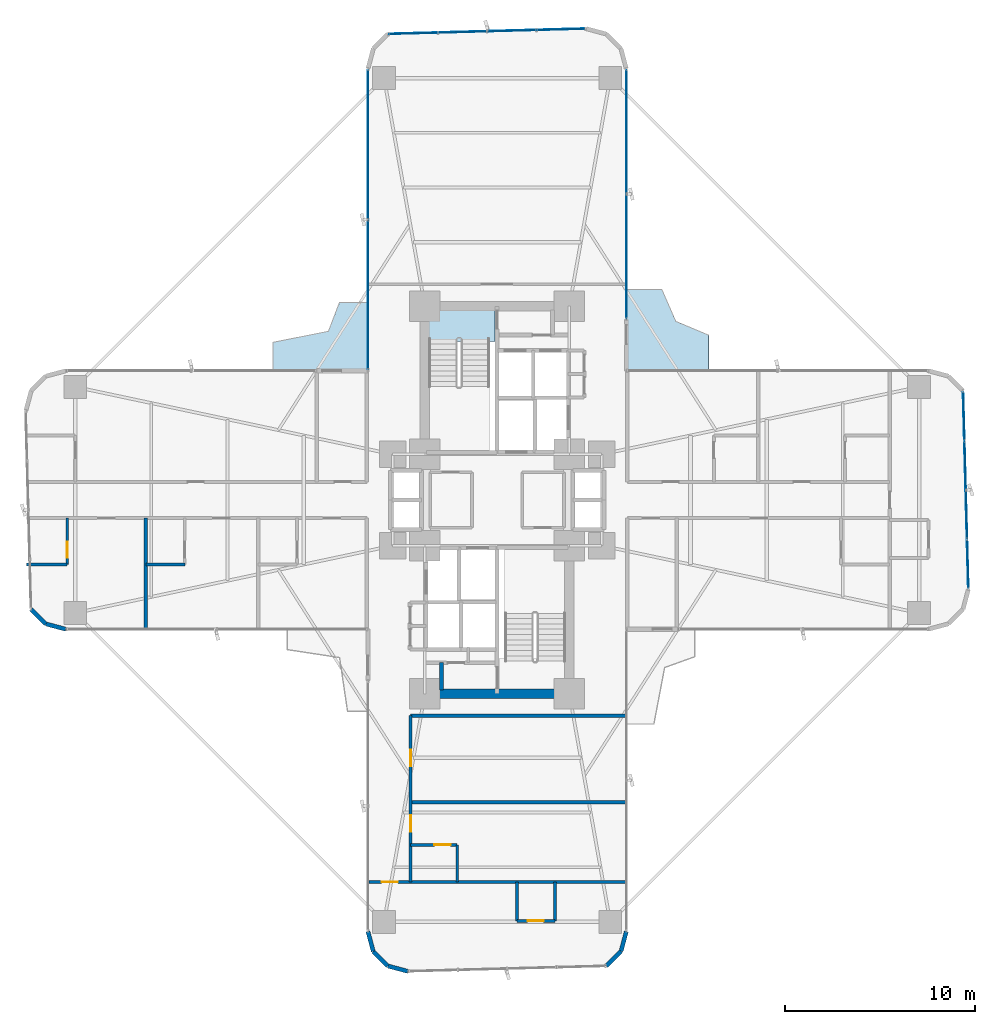
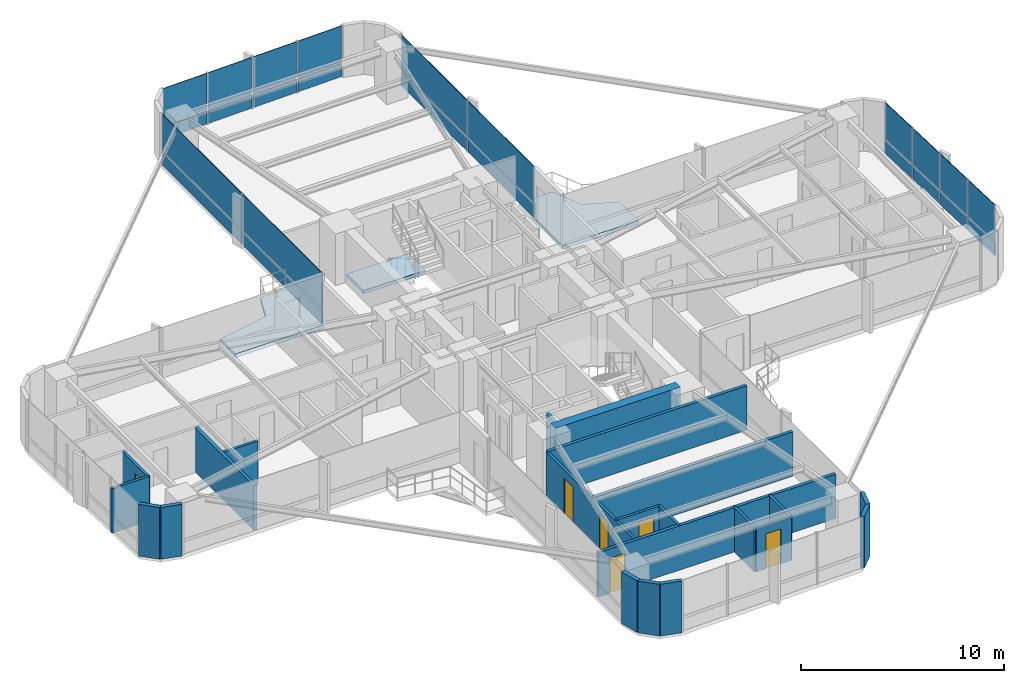
# One storey, part 21 of 25: 24 plates, 22 walls, 6 doors, 3 slabs, 6 openings, 4 elements without a shape of their own.
"""IFC4 building model written with IfcOpenShell, lengths in metres."""

from ifc_helpers import new_model, si_unit, direction, frame, frame_2d, origin, origin_2d, place, context, subcontext, project, spatial, polyline, rectangle, outline, extrude, source, transform, mapped, material, layer, layer_set, type_object, element, fill, aggregate, save


model = new_model("IFC4")

# Units and contexts
model_context = context("Model", 3, precision=1e-05, world=origin(), true_north=direction((0.0, 1.0)))
body_context = subcontext(model_context, "Body", "Model", "MODEL_VIEW")
ifc_project = project(units=[si_unit("LENGTHUNIT", "METRE"), si_unit("AREAUNIT", "SQUARE_METRE"), si_unit("VOLUMEUNIT", "CUBIC_METRE"), si_unit("PLANEANGLEUNIT", "RADIAN"), si_unit("MASSUNIT", "GRAM", prefix="KILO")], contexts=[model_context])

# Site, building, storey
site_placement = place(None, origin())
site = spatial("IfcSite", under=ifc_project, at=site_placement, CompositionType="ELEMENT")
building_placement = place(site_placement, origin())
building = spatial("IfcBuilding", under=site, at=building_placement, Name="Sahyath Konkavel Grand Hotel", CompositionType="ELEMENT")
storey_placement = place(building_placement, frame((0.0, 0.0, 33.14990234375)))
storey = spatial("IfcBuildingStorey", under=building, at=storey_placement, Name="L08", CompositionType="ELEMENT", Elevation=33.14990234375)

# Slabs
ifc_material_1 = material(Name="Concrete C40/50", Category="concrete")
ifc_layer_1 = layer(ifc_material_1, 0.219970703125)
ifc_layer_set_1 = layer_set([ifc_layer_1], Name="Concrete C40/50")
slab_type_1 = type_object("IfcSlabType", Name="SLB-BALCONY-220", PredefinedType="FLOOR", material=ifc_layer_set_1)
slab_1_placement = place(storey_placement, frame((0.0, 0.0, -0.219970703125)))
element("IfcSlab", 1, at=slab_1_placement, inside=storey, type_object=slab_type_1, Name="L08 Winter-Garden Balcony NE", PredefinedType="FLOOR", context=body_context, shape_type="SweptSolid", body=[
    extrude(outline(polyline([(6.800048828125, 6.800048828125), (11.133056640625, 6.800048828125), (11.133056640625, 8.67138671875), (9.39892578125, 9.39892578125), (8.67138671875, 11.06689453125), (6.800048828125, 11.06689453125), (6.800048828125, 6.800048828125)])), origin(), (0.0, 0.0, 1.0), 0.219970703125),
])
slab_2_placement = place(storey_placement, frame((0.0, 0.0, -0.219970703125)))
element("IfcSlab", 2, at=slab_2_placement, inside=storey, type_object=slab_type_1, Name="L08 Winter-Garden Balcony NW", PredefinedType="FLOOR", context=body_context, shape_type="SweptSolid", body=[
    extrude(outline(polyline([(-6.800048828125, 6.800048828125), (-6.800048828125, 10.40087890625), (-8.294677734375, 10.40087890625), (-8.8759765625, 8.8759765625), (-11.799072265625, 8.294677734375), (-11.799072265625, 6.800048828125), (-6.800048828125, 6.800048828125)])), origin(), (0.0, 0.0, 1.0), 0.219970703125),
])
ifc_layer_2 = layer(ifc_material_1, 0.199951171875)
ifc_layer_set_2 = layer_set([ifc_layer_2], Name="Concrete C40/50")
slab_type_2 = type_object("IfcSlabType", Name="SLB-STAIR-LND", PredefinedType="LANDING", material=ifc_layer_set_2)
slab_3_placement = place(storey_placement, frame((0.0, 0.0, -0.199951171875)))
element("IfcSlab", 3, at=slab_3_placement, inside=storey, type_object=slab_type_2, Name="L08 Stair ST-1 Floor Landing Slab", PredefinedType="LANDING", context=body_context, shape_type="SweptSolid", body=[
    extrude(outline(polyline([(-3.6201171875, 8.35009765625), (-0.10009765625, 8.35009765625), (-0.10009765625, 10.02001953125), (-3.6201171875, 10.02001953125), (-3.6201171875, 8.35009765625)])), origin(), (0.0, 0.0, 1.0), 0.199951171875),
])

# Curtain wall, plates
ifc_material_2 = material(Name="Anodised Bronze Aluminium & Low-E Glazing", Category="aluminium")
curtain_wall_type = type_object("IfcCurtainWallType", Name="CW-ZONE1", PredefinedType="NOTDEFINED", material=ifc_material_2)
curtain_wall_1_placement = place(storey_placement, origin())
curtain_wall_1 = element("IfcCurtainWall", 4, at=curtain_wall_1_placement, inside=storey, type_object=curtain_wall_type, Name="L08 Unitised Curtain Wall F15", PredefinedType="NOTDEFINED")
ifc_material_3 = material(Name="Warm Buff Sandstone Cladding", Category="masonry")
ifc_layer_3 = layer(ifc_material_3, 0.074951171875)
ifc_layer_set_3 = layer_set([ifc_layer_3], Name="Warm Buff Sandstone Cladding")
plate_type_1 = type_object("IfcPlateType", Name="PNL-SPANDREL-STONE", PredefinedType="SHEET", material=ifc_layer_set_3)
shared_shape_1 = source(origin(), body_context, "Body", "SweptSolid", [
    extrude(rectangle(XDim=7.830078125, YDim=0.074951171875, at=origin_2d()), origin(), (0.0, 0.0, 1.0), 0.77001953125),
])
plate_1_placement = place(storey_placement, frame((-6.800048828125, 18.705078125, 0.0400390625), z_axis=(0.0, 0.0, 1.0), x_axis=(0.0, -1.0, 0.0)))
plate_1 = element("IfcPlate", 5, at=plate_1_placement, type_object=plate_type_1, Name="L08 Sandstone Relief Spandrel Panel F15-0", PredefinedType="SHEET", context=body_context, shape_type="MappedRepresentation", body=[
    mapped(shared_shape_1, transform((0.0, 0.0, 0.0), scale=1.0)),
])
plate_2_placement = place(storey_placement, frame((-6.800048828125, 10.794921875, 0.0400390625), z_axis=(0.0, 0.0, 1.0), x_axis=(0.0, -1.0, 0.0)))
plate_2 = element("IfcPlate", 6, at=plate_2_placement, type_object=plate_type_1, Name="L08 Sandstone Relief Spandrel Panel F15-1", PredefinedType="SHEET", context=body_context, shape_type="MappedRepresentation", body=[
    mapped(shared_shape_1, transform((0.0, 0.0, 0.0), scale=1.0)),
])
ifc_material_4 = material(Name="Low-E Solar Control Double Glazing", Category="glass")
ifc_layer_4 = layer(ifc_material_4, 0.035888671875)
ifc_layer_set_4 = layer_set([ifc_layer_4], Name="Low-E Solar Control Double Glazing")
plate_type_2 = type_object("IfcPlateType", Name="PNL-VISION-LOWE", PredefinedType="CURTAIN_PANEL", material=ifc_layer_set_4)
shared_shape_2 = source(origin(), body_context, "Body", "SweptSolid", [
    extrude(rectangle(XDim=7.830078125, YDim=0.035888671875, at=origin_2d()), origin(), (0.0, 0.0, 1.0), 2.179931640625),
])
plate_3_placement = place(storey_placement, frame((-6.800048828125, 18.705078125, 0.89013671875), z_axis=(0.0, 0.0, 1.0), x_axis=(0.0, -1.0, 0.0)))
plate_3 = element("IfcPlate", 7, at=plate_3_placement, type_object=plate_type_2, Name="L08 Low-E Vision Glazing Panel F15-0", PredefinedType="CURTAIN_PANEL", context=body_context, shape_type="MappedRepresentation", body=[
    mapped(shared_shape_2, transform((0.0, 0.0, 0.0), scale=1.0)),
])
plate_4_placement = place(storey_placement, frame((-6.800048828125, 10.794921875, 0.89013671875), z_axis=(0.0, 0.0, 1.0), x_axis=(0.0, -1.0, 0.0)))
plate_4 = element("IfcPlate", 8, at=plate_4_placement, type_object=plate_type_2, Name="L08 Low-E Vision Glazing Panel F15-1", PredefinedType="CURTAIN_PANEL", context=body_context, shape_type="MappedRepresentation", body=[
    mapped(shared_shape_2, transform((0.0, 0.0, 0.0), scale=1.0)),
])
aggregate(curtain_wall_1, [plate_1, plate_3, plate_2, plate_4])

curtain_wall_2_placement = place(storey_placement, origin())
curtain_wall_2 = element("IfcCurtainWall", 9, at=curtain_wall_2_placement, inside=storey, type_object=curtain_wall_type, Name="L08 Unitised Curtain Wall F4", PredefinedType="NOTDEFINED")
shared_shape_3 = source(origin(), body_context, "Body", "SweptSolid", [
    extrude(rectangle(XDim=2.513427734375, YDim=0.074951171875, at=origin_2d()), origin(), (0.0, 0.0, 1.0), 0.77001953125),
])
plate_5_placement = place(storey_placement, frame((24.763916015625, -3.36376953125, 0.0400390625), z_axis=(0.0, 0.0, 1.0), x_axis=(-0.026909728301, 0.999637867691, 0.0)))
plate_5 = element("IfcPlate", 10, at=plate_5_placement, type_object=plate_type_1, Name="L08 Sandstone Relief Spandrel Panel F4-0", PredefinedType="SHEET", context=body_context, shape_type="MappedRepresentation", body=[
    mapped(shared_shape_3, transform((0.0, 0.0, 0.0), scale=1.0)),
])
plate_6_placement = place(storey_placement, frame((24.694091796875, -0.771240234375, 0.0400390625), z_axis=(0.0, 0.0, 1.0), x_axis=(-0.026909728301, 0.999637867691, 0.0)))
plate_6 = element("IfcPlate", 11, at=plate_6_placement, type_object=plate_type_1, Name="L08 Sandstone Relief Spandrel Panel F4-1", PredefinedType="SHEET", context=body_context, shape_type="MappedRepresentation", body=[
    mapped(shared_shape_3, transform((0.0, 0.0, 0.0), scale=1.0)),
])
plate_7_placement = place(storey_placement, frame((24.62451171875, 1.8212890625, 0.0400390625), z_axis=(0.0, 0.0, 1.0), x_axis=(-0.026909728301, 0.999637867691, 0.0)))
plate_7 = element("IfcPlate", 12, at=plate_7_placement, type_object=plate_type_1, Name="L08 Sandstone Relief Spandrel Panel F4-2", PredefinedType="SHEET", context=body_context, shape_type="MappedRepresentation", body=[
    mapped(shared_shape_3, transform((0.0, 0.0, 0.0), scale=1.0)),
])
plate_8_placement = place(storey_placement, frame((24.5546875, 4.413818359375, 0.0400390625), z_axis=(0.0, 0.0, 1.0), x_axis=(-0.026909728301, 0.999637867691, 0.0)))
plate_8 = element("IfcPlate", 13, at=plate_8_placement, type_object=plate_type_1, Name="L08 Sandstone Relief Spandrel Panel F4-3", PredefinedType="SHEET", context=body_context, shape_type="MappedRepresentation", body=[
    mapped(shared_shape_3, transform((0.0, 0.0, 0.0), scale=1.0)),
])

curtain_wall_3_placement = place(storey_placement, origin())
curtain_wall_3 = element("IfcCurtainWall", 14, at=curtain_wall_3_placement, inside=storey, type_object=curtain_wall_type, Name="L08 Unitised Curtain Wall F12", PredefinedType="NOTDEFINED")
plate_9_placement = place(storey_placement, frame((3.36376953125, 24.763916015625, 0.0400390625), z_axis=(0.0, 0.0, 1.0), x_axis=(-0.999637867691, -0.026909728301, 0.0)))
plate_9 = element("IfcPlate", 15, at=plate_9_placement, type_object=plate_type_1, Name="L08 Sandstone Relief Spandrel Panel F12-0", PredefinedType="SHEET", context=body_context, shape_type="MappedRepresentation", body=[
    mapped(shared_shape_3, transform((0.0, 0.0, 0.0), scale=1.0)),
])
plate_10_placement = place(storey_placement, frame((0.771240234375, 24.694091796875, 0.0400390625), z_axis=(0.0, 0.0, 1.0), x_axis=(-0.999637867691, -0.026909728301, 0.0)))
plate_10 = element("IfcPlate", 16, at=plate_10_placement, type_object=plate_type_1, Name="L08 Sandstone Relief Spandrel Panel F12-1", PredefinedType="SHEET", context=body_context, shape_type="MappedRepresentation", body=[
    mapped(shared_shape_3, transform((0.0, 0.0, 0.0), scale=1.0)),
])
plate_11_placement = place(storey_placement, frame((-1.8212890625, 24.62451171875, 0.0400390625), z_axis=(0.0, 0.0, 1.0), x_axis=(-0.999637867691, -0.026909728301, 0.0)))
plate_11 = element("IfcPlate", 17, at=plate_11_placement, type_object=plate_type_1, Name="L08 Sandstone Relief Spandrel Panel F12-2", PredefinedType="SHEET", context=body_context, shape_type="MappedRepresentation", body=[
    mapped(shared_shape_3, transform((0.0, 0.0, 0.0), scale=1.0)),
])
plate_12_placement = place(storey_placement, frame((-4.413818359375, 24.5546875, 0.0400390625), z_axis=(0.0, 0.0, 1.0), x_axis=(-0.999637867691, -0.026909728301, 0.0)))
plate_12 = element("IfcPlate", 18, at=plate_12_placement, type_object=plate_type_1, Name="L08 Sandstone Relief Spandrel Panel F12-3", PredefinedType="SHEET", context=body_context, shape_type="MappedRepresentation", body=[
    mapped(shared_shape_3, transform((0.0, 0.0, 0.0), scale=1.0)),
])

# Plate
shared_shape_4 = source(origin(), body_context, "Body", "SweptSolid", [
    extrude(rectangle(XDim=2.513427734375, YDim=0.035888671875, at=origin_2d()), origin(), (0.0, 0.0, 1.0), 2.179931640625),
])
plate_13_placement = place(storey_placement, frame((24.763916015625, -3.36376953125, 0.89013671875), z_axis=(0.0, 0.0, 1.0), x_axis=(-0.026909728301, 0.999637867691, 0.0)))
plate_13 = element("IfcPlate", 19, at=plate_13_placement, type_object=plate_type_2, Name="L08 Low-E Vision Glazing Panel F4-0", PredefinedType="CURTAIN_PANEL", context=body_context, shape_type="MappedRepresentation", body=[
    mapped(shared_shape_4, transform((0.0, 0.0, 0.0), scale=1.0)),
])

plate_14_placement = place(storey_placement, frame((24.694091796875, -0.771240234375, 0.89013671875), z_axis=(0.0, 0.0, 1.0), x_axis=(-0.026909728301, 0.999637867691, 0.0)))
plate_14 = element("IfcPlate", 20, at=plate_14_placement, type_object=plate_type_2, Name="L08 Low-E Vision Glazing Panel F4-1", PredefinedType="CURTAIN_PANEL", context=body_context, shape_type="MappedRepresentation", body=[
    mapped(shared_shape_4, transform((0.0, 0.0, 0.0), scale=1.0)),
])

plate_15_placement = place(storey_placement, frame((24.62451171875, 1.8212890625, 0.89013671875), z_axis=(0.0, 0.0, 1.0), x_axis=(-0.026909728301, 0.999637867691, 0.0)))
plate_15 = element("IfcPlate", 21, at=plate_15_placement, type_object=plate_type_2, Name="L08 Low-E Vision Glazing Panel F4-2", PredefinedType="CURTAIN_PANEL", context=body_context, shape_type="MappedRepresentation", body=[
    mapped(shared_shape_4, transform((0.0, 0.0, 0.0), scale=1.0)),
])

plate_16_placement = place(storey_placement, frame((24.5546875, 4.413818359375, 0.89013671875), z_axis=(0.0, 0.0, 1.0), x_axis=(-0.026909728301, 0.999637867691, 0.0)))
plate_16 = element("IfcPlate", 22, at=plate_16_placement, type_object=plate_type_2, Name="L08 Low-E Vision Glazing Panel F4-3", PredefinedType="CURTAIN_PANEL", context=body_context, shape_type="MappedRepresentation", body=[
    mapped(shared_shape_4, transform((0.0, 0.0, 0.0), scale=1.0)),
])

aggregate(curtain_wall_2, [plate_5, plate_13, plate_6, plate_14, plate_7, plate_15, plate_8, plate_16])

plate_17_placement = place(storey_placement, frame((3.36376953125, 24.763916015625, 0.89013671875), z_axis=(0.0, 0.0, 1.0), x_axis=(-0.999637867691, -0.026909728301, 0.0)))
plate_17 = element("IfcPlate", 23, at=plate_17_placement, type_object=plate_type_2, Name="L08 Low-E Vision Glazing Panel F12-0", PredefinedType="CURTAIN_PANEL", context=body_context, shape_type="MappedRepresentation", body=[
    mapped(shared_shape_4, transform((0.0, 0.0, 0.0), scale=1.0)),
])

plate_18_placement = place(storey_placement, frame((0.771240234375, 24.694091796875, 0.89013671875), z_axis=(0.0, 0.0, 1.0), x_axis=(-0.999637867691, -0.026909728301, 0.0)))
plate_18 = element("IfcPlate", 24, at=plate_18_placement, type_object=plate_type_2, Name="L08 Low-E Vision Glazing Panel F12-1", PredefinedType="CURTAIN_PANEL", context=body_context, shape_type="MappedRepresentation", body=[
    mapped(shared_shape_4, transform((0.0, 0.0, 0.0), scale=1.0)),
])

plate_19_placement = place(storey_placement, frame((-1.8212890625, 24.62451171875, 0.89013671875), z_axis=(0.0, 0.0, 1.0), x_axis=(-0.999637867691, -0.026909728301, 0.0)))
plate_19 = element("IfcPlate", 25, at=plate_19_placement, type_object=plate_type_2, Name="L08 Low-E Vision Glazing Panel F12-2", PredefinedType="CURTAIN_PANEL", context=body_context, shape_type="MappedRepresentation", body=[
    mapped(shared_shape_4, transform((0.0, 0.0, 0.0), scale=1.0)),
])

plate_20_placement = place(storey_placement, frame((-4.413818359375, 24.5546875, 0.89013671875), z_axis=(0.0, 0.0, 1.0), x_axis=(-0.999637867691, -0.026909728301, 0.0)))
plate_20 = element("IfcPlate", 26, at=plate_20_placement, type_object=plate_type_2, Name="L08 Low-E Vision Glazing Panel F12-3", PredefinedType="CURTAIN_PANEL", context=body_context, shape_type="MappedRepresentation", body=[
    mapped(shared_shape_4, transform((0.0, 0.0, 0.0), scale=1.0)),
])

aggregate(curtain_wall_3, [plate_9, plate_17, plate_10, plate_18, plate_11, plate_19, plate_12, plate_20])

# Curtain wall, plates
curtain_wall_4_placement = place(storey_placement, origin())
curtain_wall_4 = element("IfcCurtainWall", 27, at=curtain_wall_4_placement, inside=storey, type_object=curtain_wall_type, Name="L08 Unitised Curtain Wall F8", PredefinedType="NOTDEFINED")
shared_shape_5 = source(origin(), body_context, "Body", "SweptSolid", [
    extrude(rectangle(XDim=6.47998046875, YDim=0.074951171875, at=origin_2d()), origin(), (0.0, 0.0, 1.0), 0.77001953125),
])
plate_21_placement = place(storey_placement, frame((6.800048828125, 12.820068359375, 0.0400390625), z_axis=(0.0, 0.0, 1.0), x_axis=(0.0, 1.0, 0.0)))
plate_21 = element("IfcPlate", 28, at=plate_21_placement, type_object=plate_type_1, Name="L08 Sandstone Relief Spandrel Panel F8-0", PredefinedType="SHEET", context=body_context, shape_type="MappedRepresentation", body=[
    mapped(shared_shape_5, transform((0.0, 0.0, 0.0), scale=1.0)),
])
plate_22_placement = place(storey_placement, frame((6.800048828125, 19.3798828125, 0.0400390625), z_axis=(0.0, 0.0, 1.0), x_axis=(0.0, 1.0, 0.0)))
plate_22 = element("IfcPlate", 29, at=plate_22_placement, type_object=plate_type_1, Name="L08 Sandstone Relief Spandrel Panel F8-1", PredefinedType="SHEET", context=body_context, shape_type="MappedRepresentation", body=[
    mapped(shared_shape_5, transform((0.0, 0.0, 0.0), scale=1.0)),
])
shared_shape_6 = source(origin(), body_context, "Body", "SweptSolid", [
    extrude(rectangle(XDim=6.47998046875, YDim=0.035888671875, at=origin_2d()), origin(), (0.0, 0.0, 1.0), 2.179931640625),
])
plate_23_placement = place(storey_placement, frame((6.800048828125, 12.820068359375, 0.89013671875), z_axis=(0.0, 0.0, 1.0), x_axis=(0.0, 1.0, 0.0)))
plate_23 = element("IfcPlate", 30, at=plate_23_placement, type_object=plate_type_2, Name="L08 Low-E Vision Glazing Panel F8-0", PredefinedType="CURTAIN_PANEL", context=body_context, shape_type="MappedRepresentation", body=[
    mapped(shared_shape_6, transform((0.0, 0.0, 0.0), scale=1.0)),
])
plate_24_placement = place(storey_placement, frame((6.800048828125, 19.3798828125, 0.89013671875), z_axis=(0.0, 0.0, 1.0), x_axis=(0.0, 1.0, 0.0)))
plate_24 = element("IfcPlate", 31, at=plate_24_placement, type_object=plate_type_2, Name="L08 Low-E Vision Glazing Panel F8-1", PredefinedType="CURTAIN_PANEL", context=body_context, shape_type="MappedRepresentation", body=[
    mapped(shared_shape_6, transform((0.0, 0.0, 0.0), scale=1.0)),
])
aggregate(curtain_wall_4, [plate_21, plate_23, plate_22, plate_24])

# Walls
ifc_material_5 = material(Name="Concrete C70/85", Category="concrete")
ifc_layer_5 = layer(ifc_material_5, 0.5)
ifc_layer_set_5 = layer_set([ifc_layer_5], Name="Concrete C70/85")
wall_type_1 = type_object("IfcWallType", Name="CWALL-500", PredefinedType="SHEAR", material=ifc_layer_set_5)
wall_1_placement = place(storey_placement, frame((-3.550048828125, -10.199951171875, 0.0), z_axis=(0.0, 0.0, 1.0), x_axis=(1.0, 0.0, 0.0)))
element("IfcWall", 32, at=wall_1_placement, inside=storey, type_object=wall_type_1, Name="L08 South Core Shear Wall S", PredefinedType="SHEAR", context=body_context, shape_type="SweptSolid", body=[
    extrude(rectangle(XDim=7.10009765625, YDim=0.5, at=frame_2d((3.550048828125, 0.0))), origin(), (0.0, 0.0, 1.0), 3.110107421875),
])
ifc_material_6 = material(Name="Warm Buff Sandstone Insulated Concrete C40/50", Category="masonry")
ifc_layer_6 = layer(ifc_material_6, 0.219970703125)
ifc_layer_set_6 = layer_set([ifc_layer_6], Name="Warm Buff Sandstone Insulated Concrete C40/50")
wall_type_2 = type_object("IfcWallType", Name="WLL-BALC-THRESH", PredefinedType="STANDARD", material=ifc_layer_set_6)
for number, where, z_axis, x_axis, name in (
    (33, (-24.518798828125, -5.75, 0.0), (0.0, 0.0, 1.0), (0.707106781187, -0.707106781187, 0.0), "L08 Rounded Corner Sandstone Pier 21"),
    (34, (-23.75, -6.518798828125, 0.0), (0.0, 0.0, 1.0), (0.965951058412, -0.25872485917, 0.0), "L08 Rounded Corner Sandstone Pier 22"),
    (35, (-6.800048828125, -22.699951171875, 0.0), (0.0, 0.0, 1.0), (0.25872485917, -0.965951058412, 0.0), "L08 Rounded Corner Sandstone Pier 25"),
    (36, (-6.518798828125, -23.75, 0.0), (0.0, 0.0, 1.0), (0.707106781187, -0.707106781187, 0.0), "L08 Rounded Corner Sandstone Pier 26"),
    (37, (-5.75, -24.518798828125, 0.0), (0.0, 0.0, 1.0), (0.965951058412, -0.25872485917, 0.0), "L08 Rounded Corner Sandstone Pier 27"),
    (38, (5.75, -24.518798828125, 0.0), (0.0, 0.0, 1.0), (0.707106781187, 0.707106781187, 0.0), "L08 Rounded Corner Sandstone Pier 29"),
    (39, (6.518798828125, -23.75, 0.0), (0.0, 0.0, 1.0), (0.25872485917, 0.965951058412, 0.0), "L08 Rounded Corner Sandstone Pier 30"),
):
    element("IfcWall", number, at=place(storey_placement, frame(where, z_axis=z_axis, x_axis=x_axis)), inside=storey, type_object=wall_type_2, Name=name, PredefinedType="STANDARD", context=body_context, shape_type="SweptSolid", body=[
        extrude(rectangle(XDim=1.087158203125, YDim=0.219970703125, at=frame_2d((0.54345703125, 0.0))), origin(), (0.0, 0.0, 1.0), 3.110107421875),
    ])
ifc_layer_7 = layer(ifc_material_1, 0.199951171875)
ifc_layer_set_7 = layer_set([ifc_layer_7], Name="Concrete C40/50")
wall_type_3 = type_object("IfcWallType", Name="WLL-CORE-200", PredefinedType="SOLIDWALL", material=ifc_layer_set_7)
wall_2_placement = place(storey_placement, frame((-2.919921875, -10.0, 0.0), z_axis=(0.0, 0.0, 1.0), x_axis=(0.0, 1.0, 0.0)))
element("IfcWall", 40, at=wall_2_placement, inside=storey, type_object=wall_type_3, Name="L08 Partition SFF-W2", PredefinedType="SOLIDWALL", context=body_context, shape_type="SweptSolid", body=[
    extrude(rectangle(XDim=1.43994140625, YDim=0.199951171875, at=frame_2d((0.719970703125, 0.0))), origin(), (0.0, 0.0, 1.0), 2.66015625),
])
ifc_material_7 = material(Name="Twin-Stud Acoustic Gypsum Plasterboard Partition")
ifc_layer_8 = layer(ifc_material_7, 0.179931640625)
ifc_layer_set_8 = layer_set([ifc_layer_8], Name="Twin-Stud Acoustic Gypsum Plasterboard Partition")
wall_type_4 = type_object("IfcWallType", Name="WLL-DEMISE-180", PredefinedType="PARTITIONING", material=ifc_layer_set_8)
wall_3_placement = place(storey_placement, frame((-18.485107421875, -0.949951171875, 0.0), z_axis=(0.0, 0.0, 1.0), x_axis=(0.0, -1.0, 0.0)))
element("IfcWall", 41, at=wall_3_placement, inside=storey, type_object=wall_type_4, Name="L08 Partition W-W2L-DEM", PredefinedType="PARTITIONING", context=body_context, shape_type="SweptSolid", body=[
    extrude(rectangle(XDim=5.800048828125, YDim=0.179931640625, at=frame_2d((2.89990234375, 0.0))), origin(), (0.0, 0.0, 1.0), 2.66015625),
])
for number, where, z_axis, x_axis, name in (
    (42, (-4.550048828125, -11.35009765625, 0.0), (0.0, 0.0, 1.0), (1.0, 0.0, 0.0), "L08 Partition S-G6I"),
    (43, (-4.550048828125, -15.89990234375, 0.0), (0.0, 0.0, 1.0), (1.0, 0.0, 0.0), "L08 Partition S-SSL6-DEM"),
):
    element("IfcWall", number, at=place(storey_placement, frame(where, z_axis=z_axis, x_axis=x_axis)), inside=storey, type_object=wall_type_4, Name=name, PredefinedType="PARTITIONING", context=body_context, shape_type="SweptSolid", body=[
        extrude(rectangle(XDim=11.300048828125, YDim=0.179931640625, at=frame_2d((5.64990234375, 0.0))), origin(), (0.0, 0.0, 1.0), 2.66015625),
    ])

# Wall, opening, door
wall_4_placement = place(storey_placement, frame((-6.75, -20.10009765625, 0.0), z_axis=(0.0, 0.0, 1.0), x_axis=(1.0, 0.0, 0.0)))
wall_4 = element("IfcWall", 44, at=wall_4_placement, inside=storey, type_object=wall_type_4, Name="L08 Partition S-STIP-END", PredefinedType="PARTITIONING", context=body_context, shape_type="SweptSolid", body=[
    extrude(rectangle(XDim=13.5, YDim=0.179931640625, at=frame_2d((6.75, 0.0))), origin(), (0.0, 0.0, 1.0), 2.66015625),
])
opening_1_placement = place(wall_4_placement, frame((0.675048828125, 0.0, 0.0)))
opening_1 = element("IfcOpeningElement", 45, at=opening_1_placement, cuts=wall_4, Name="Opening D-F06D", PredefinedType="OPENING", context=body_context, shape_type="SweptSolid", body=[
    extrude(rectangle(XDim=0.85009765625, YDim=2.10009765625, at=frame_2d((0.425048828125, 1.050048828125))), frame((0.0, 0.10009765625, 0.0), z_axis=(0.0, -1.0, 0.0), x_axis=(1.0, 0.0, 0.0)), (0.0, 0.0, 1.0), 0.199951171875),
])
ifc_material_8 = material(Name="Fire-Rated Shaft Access Door")
door_type_1 = type_object("IfcDoorType", Name="DR-FD60-850", OperationType="NOTDEFINED", PredefinedType="DOOR", material=ifc_material_8)
shared_shape_7 = source(origin(), body_context, "Body", "SweptSolid", [
    extrude(rectangle(XDim=0.85009765625, YDim=0.050048828125, at=origin_2d()), origin(), (0.0, 0.0, 1.0), 2.10009765625),
])
door_1_placement = place(opening_1_placement, frame((0.425048828125, 0.0, 0.0)))
door_1 = element("IfcDoor", 46, at=door_1_placement, inside=storey, type_object=door_type_1, Name="L08 Door S-STIP-ED", OperationType="SINGLE_SWING_LEFT", OverallHeight=2.10009765625, OverallWidth=0.85009765625, PredefinedType="DOOR", context=body_context, shape_type="MappedRepresentation", body=[
    mapped(shared_shape_7, transform((0.0, 0.0, 0.0), scale=1.0)),
])
fill(opening_1, door_1)

# Wall
ifc_material_9 = material(Name="Fire-Rated Gypsum Plasterboard Partition")
ifc_layer_9 = layer(ifc_material_9, 0.14990234375)
ifc_layer_set_9 = layer_set([ifc_layer_9], Name="Fire-Rated Gypsum Plasterboard Partition")
wall_type_5 = type_object("IfcWallType", Name="WLL-PART-150", PredefinedType="PARTITIONING", material=ifc_layer_set_9)
wall_5_placement = place(storey_placement, frame((-16.43505859375, -3.39990234375, 0.0), z_axis=(0.0, 0.0, 1.0), x_axis=(-1.0, 0.0, 0.0)))
element("IfcWall", 47, at=wall_5_placement, inside=storey, type_object=wall_type_5, Name="L08 Partition W-W2L-BF", PredefinedType="PARTITIONING", context=body_context, shape_type="SweptSolid", body=[
    extrude(rectangle(XDim=2.050048828125, YDim=0.14990234375, at=frame_2d((1.02490234375, 0.0))), origin(), (0.0, 0.0, 1.0), 2.630126953125),
])

# Wall, opening, door
wall_6_placement = place(storey_placement, frame((-22.6201171875, -0.949951171875, 0.0), z_axis=(0.0, 0.0, 1.0), x_axis=(0.0, -1.0, 0.0)))
wall_6 = element("IfcWall", 48, at=wall_6_placement, inside=storey, type_object=wall_type_5, Name="L08 Partition W-W3L-BS", PredefinedType="PARTITIONING", context=body_context, shape_type="SweptSolid", body=[
    extrude(rectangle(XDim=2.449951171875, YDim=0.14990234375, at=frame_2d((1.22509765625, 0.0))), origin(), (0.0, 0.0, 1.0), 2.66015625),
])
opening_2_placement = place(wall_6_placement, frame((1.25, 0.0, 0.0)))
opening_2 = element("IfcOpeningElement", 49, at=opening_2_placement, cuts=wall_6, Name="Opening D-BT85", PredefinedType="OPENING", context=body_context, shape_type="SweptSolid", body=[
    extrude(rectangle(XDim=0.85009765625, YDim=2.10009765625, at=frame_2d((0.425048828125, 1.050048828125))), frame((0.0, 0.0849609375, 0.0), z_axis=(0.0, -1.0, 0.0), x_axis=(1.0, 0.0, 0.0)), (0.0, 0.0, 1.0), 0.169921875),
])
ifc_material_10 = material(Name="Moisture-Resistant Teak Bathroom Door")
door_type_2 = type_object("IfcDoorType", Name="DR-BATH-850", OperationType="NOTDEFINED", PredefinedType="DOOR", material=ifc_material_10)
door_2_placement = place(opening_2_placement, frame((0.425048828125, 0.0, 0.0)))
door_2 = element("IfcDoor", 50, at=door_2_placement, inside=storey, type_object=door_type_2, Name="L08 Door W-W3L-BD", OperationType="SINGLE_SWING_RIGHT", OverallHeight=2.10009765625, OverallWidth=0.85009765625, PredefinedType="DOOR", context=body_context, shape_type="MappedRepresentation", body=[
    mapped(shared_shape_7, transform((0.0, 0.0, 0.0), scale=1.0)),
])
fill(opening_2, door_2)

# Wall
wall_7_placement = place(storey_placement, frame((-22.6201171875, -3.39990234375, 0.0), z_axis=(0.0, 0.0, 1.0), x_axis=(-1.0, 0.0, 0.0)))
element("IfcWall", 51, at=wall_7_placement, inside=storey, type_object=wall_type_5, Name="L08 Partition W-W3L-BF", PredefinedType="PARTITIONING", context=body_context, shape_type="SweptSolid", body=[
    extrude(rectangle(XDim=2.1298828125, YDim=0.14990234375, at=frame_2d((1.06494140625, 0.0))), origin(), (0.0, 0.0, 1.0), 2.66015625),
])

# Wall, openings, doors
wall_8_placement = place(storey_placement, frame((-4.550048828125, -11.35009765625, 0.0), z_axis=(0.0, 0.0, 1.0), x_axis=(0.0, -1.0, 0.0)))
wall_8 = element("IfcWall", 52, at=wall_8_placement, inside=storey, type_object=wall_type_5, Name="L08 Partition S-G6W", PredefinedType="PARTITIONING", context=body_context, shape_type="SweptSolid", body=[
    extrude(rectangle(XDim=8.75, YDim=0.14990234375, at=frame_2d((4.375, 0.0))), origin(), (0.0, 0.0, 1.0), 2.630126953125),
])
opening_3_placement = place(wall_8_placement, frame((1.800048828125, 0.0, 0.0)))
opening_3 = element("IfcOpeningElement", 53, at=opening_3_placement, cuts=wall_8, Name="Opening D-F06D", PredefinedType="OPENING", context=body_context, shape_type="SweptSolid", body=[
    extrude(rectangle(XDim=0.85009765625, YDim=2.10009765625, at=frame_2d((0.425048828125, 1.050048828125))), frame((0.0, 0.0849609375, 0.0), z_axis=(0.0, -1.0, 0.0), x_axis=(1.0, 0.0, 0.0)), (0.0, 0.0, 1.0), 0.169921875),
])
opening_4_placement = place(wall_8_placement, frame((5.25, 0.0, 0.0)))
opening_4 = element("IfcOpeningElement", 54, at=opening_4_placement, cuts=wall_8, Name="Opening D-F06D", PredefinedType="OPENING", context=body_context, shape_type="SweptSolid", body=[
    extrude(rectangle(XDim=0.85009765625, YDim=2.10009765625, at=frame_2d((0.425048828125, 1.050048828125))), frame((0.0, 0.0849609375, 0.0), z_axis=(0.0, -1.0, 0.0), x_axis=(1.0, 0.0, 0.0)), (0.0, 0.0, 1.0), 0.169921875),
])
door_3_placement = place(opening_3_placement, frame((0.425048828125, 0.0, 0.0)))
door_3 = element("IfcDoor", 55, at=door_3_placement, inside=storey, type_object=door_type_1, Name="L08 Door S-SSL6-D", OperationType="SINGLE_SWING_LEFT", OverallHeight=2.10009765625, OverallWidth=0.85009765625, PredefinedType="DOOR", context=body_context, shape_type="MappedRepresentation", body=[
    mapped(shared_shape_7, transform((0.0, 0.0, 0.0), scale=1.0)),
])
fill(opening_3, door_3)
door_4_placement = place(opening_4_placement, frame((0.425048828125, 0.0, 0.0)))
door_4 = element("IfcDoor", 56, at=door_4_placement, inside=storey, type_object=door_type_1, Name="L08 Door S-SD6-ED", OperationType="SINGLE_SWING_LEFT", OverallHeight=2.10009765625, OverallWidth=0.85009765625, PredefinedType="DOOR", context=body_context, shape_type="MappedRepresentation", body=[
    mapped(shared_shape_7, transform((0.0, 0.0, 0.0), scale=1.0)),
])
fill(opening_4, door_4)

# Wall, opening, door
wall_9_placement = place(storey_placement, frame((-4.550048828125, -18.14990234375, 0.0), z_axis=(0.0, 0.0, 1.0), x_axis=(1.0, 0.0, 0.0)))
wall_9 = element("IfcWall", 57, at=wall_9_placement, inside=storey, type_object=wall_type_5, Name="L08 Partition S-SD6-BS", PredefinedType="PARTITIONING", context=body_context, shape_type="SweptSolid", body=[
    extrude(rectangle(XDim=2.449951171875, YDim=0.14990234375, at=frame_2d((1.22509765625, 0.0))), origin(), (0.0, 0.0, 1.0), 2.66015625),
])
opening_5_placement = place(wall_9_placement, frame((1.25, 0.0, 0.0)))
opening_5 = element("IfcOpeningElement", 58, at=opening_5_placement, cuts=wall_9, Name="Opening D-BT85", PredefinedType="OPENING", context=body_context, shape_type="SweptSolid", body=[
    extrude(rectangle(XDim=0.85009765625, YDim=2.10009765625, at=frame_2d((0.425048828125, 1.050048828125))), frame((0.0, 0.0849609375, 0.0), z_axis=(0.0, -1.0, 0.0), x_axis=(1.0, 0.0, 0.0)), (0.0, 0.0, 1.0), 0.169921875),
])
door_5_placement = place(opening_5_placement, frame((0.425048828125, 0.0, 0.0)))
door_5 = element("IfcDoor", 59, at=door_5_placement, inside=storey, type_object=door_type_2, Name="L08 Door S-SD6-BD", OperationType="SINGLE_SWING_RIGHT", OverallHeight=2.10009765625, OverallWidth=0.85009765625, PredefinedType="DOOR", context=body_context, shape_type="MappedRepresentation", body=[
    mapped(shared_shape_7, transform((0.0, 0.0, 0.0), scale=1.0)),
])
fill(opening_5, door_5)

# Walls
wall_10_placement = place(storey_placement, frame((-2.10009765625, -18.14990234375, 0.0), z_axis=(0.0, 0.0, 1.0), x_axis=(0.0, -1.0, 0.0)))
element("IfcWall", 60, at=wall_10_placement, inside=storey, type_object=wall_type_5, Name="L08 Partition S-SD6-BF", PredefinedType="PARTITIONING", context=body_context, shape_type="SweptSolid", body=[
    extrude(rectangle(XDim=1.9501953125, YDim=0.14990234375, at=frame_2d((0.97509765625, 0.0))), origin(), (0.0, 0.0, 1.0), 2.66015625),
])
for number, where, z_axis, x_axis, name in (
    (61, (3.050048828125, -20.10009765625, 0.0), (0.0, 0.0, 1.0), (0.0, -1.0, 0.0), "L08 Partition S-STIP-BN"),
    (62, (1.050048828125, -20.10009765625, 0.0), (0.0, 0.0, 1.0), (0.0, -1.0, 0.0), "L08 Partition S-STIP-BS"),
):
    element("IfcWall", number, at=place(storey_placement, frame(where, z_axis=z_axis, x_axis=x_axis)), inside=storey, type_object=wall_type_5, Name=name, PredefinedType="PARTITIONING", context=body_context, shape_type="SweptSolid", body=[
        extrude(rectangle(XDim=2.0498046875, YDim=0.14990234375, at=frame_2d((1.02490234375, 0.0))), origin(), (0.0, 0.0, 1.0), 2.66015625),
    ])

# Wall, opening, door
wall_11_placement = place(storey_placement, frame((1.050048828125, -22.14990234375, 0.0), z_axis=(0.0, 0.0, 1.0), x_axis=(1.0, 0.0, 0.0)))
wall_11 = element("IfcWall", 63, at=wall_11_placement, inside=storey, type_object=wall_type_5, Name="L08 Partition S-STIP-BE", PredefinedType="PARTITIONING", context=body_context, shape_type="SweptSolid", body=[
    extrude(rectangle(XDim=2.0, YDim=0.14990234375, at=frame_2d((1.0, 0.0))), origin(), (0.0, 0.0, 1.0), 2.580078125),
])
opening_6_placement = place(wall_11_placement, frame((0.550048828125, 0.0, 0.0)))
opening_6 = element("IfcOpeningElement", 64, at=opening_6_placement, cuts=wall_11, Name="Opening D-BT85", PredefinedType="OPENING", context=body_context, shape_type="SweptSolid", body=[
    extrude(rectangle(XDim=0.85009765625, YDim=2.10009765625, at=frame_2d((0.425048828125, 1.050048828125))), frame((0.0, 0.0849609375, 0.0), z_axis=(0.0, -1.0, 0.0), x_axis=(1.0, 0.0, 0.0)), (0.0, 0.0, 1.0), 0.169921875),
])
door_6_placement = place(opening_6_placement, frame((0.425048828125, 0.0, 0.0)))
door_6 = element("IfcDoor", 65, at=door_6_placement, inside=storey, type_object=door_type_2, Name="L08 Door S-STIP-BD", OperationType="SINGLE_SWING_RIGHT", OverallHeight=2.10009765625, OverallWidth=0.85009765625, PredefinedType="DOOR", context=body_context, shape_type="MappedRepresentation", body=[
    mapped(shared_shape_7, transform((0.0, 0.0, 0.0), scale=1.0)),
])
fill(opening_6, door_6)

save(model, "model.ifc")
